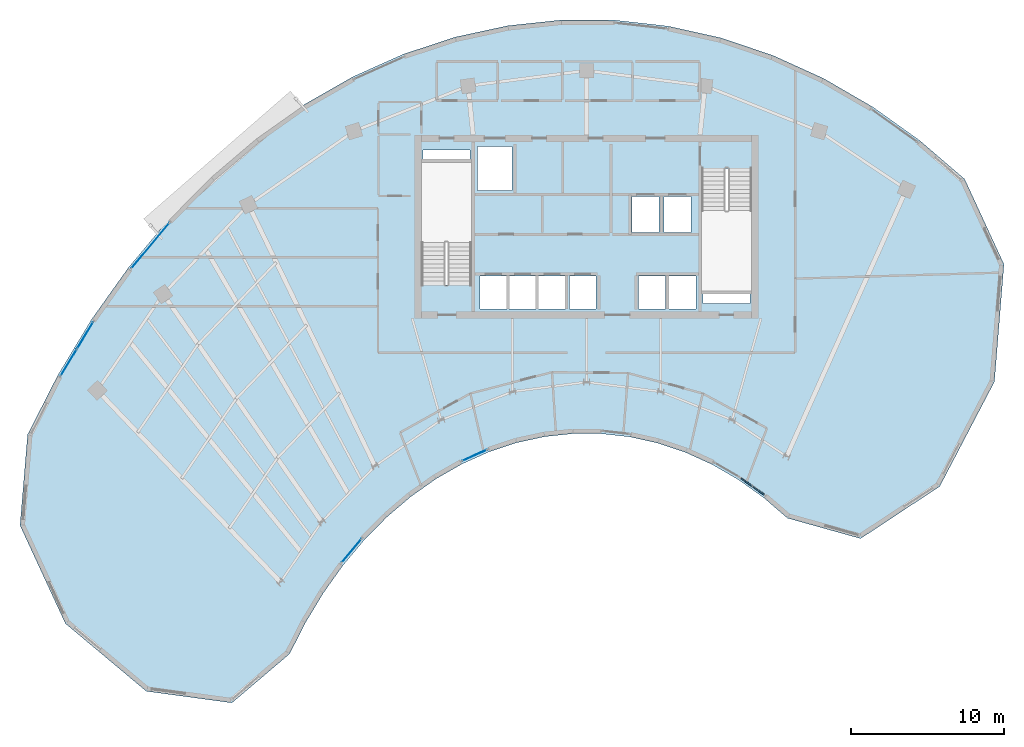
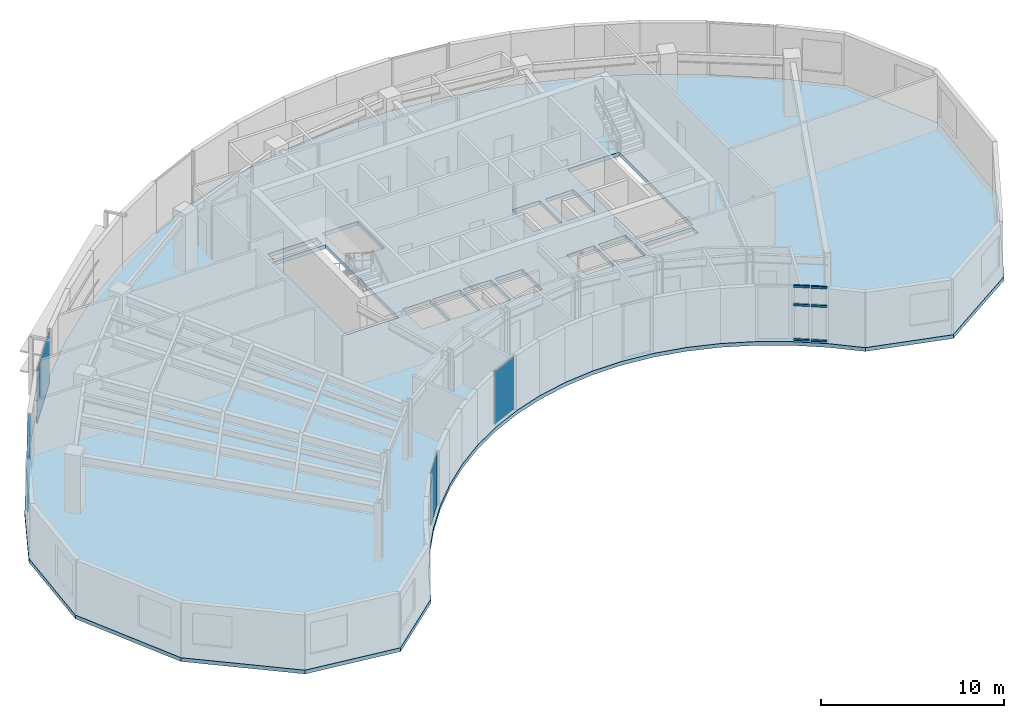
# One storey, part 5 of 12: 7 plates, 6 members, 1 slab, 5 elements without a shape of their own.
"""IFC4 building model written with IfcOpenShell, lengths in metres."""

from ifc_helpers import new_model, si_unit, direction, frame, origin, origin_2d, place, context, subcontext, project, spatial, polyline, rectangle, outline, extrude, source, transform, mapped, material, layer, layer_set, material_profile, profile_set, type_object, element, aggregate, save


model = new_model("IFC4")

# Units and contexts
model_context = context("Model", 3, precision=1e-05, world=origin(), true_north=direction((0.0, 1.0)))
body_context = subcontext(model_context, "Body", "Model", "MODEL_VIEW")
ifc_project = project(units=[si_unit("LENGTHUNIT", "METRE"), si_unit("AREAUNIT", "SQUARE_METRE"), si_unit("VOLUMEUNIT", "CUBIC_METRE"), si_unit("PLANEANGLEUNIT", "RADIAN"), si_unit("MASSUNIT", "GRAM", prefix="KILO")], contexts=[model_context])

# Site, building, storey
site_placement = place(None, origin())
site = spatial("IfcSite", under=ifc_project, at=site_placement, CompositionType="ELEMENT")
building_placement = place(site_placement, origin())
building = spatial("IfcBuilding", under=site, at=building_placement, Name="Breltana Convention Tower", CompositionType="ELEMENT")
storey_placement = place(building_placement, frame((0.0, 0.0, 235.199951171875)))
storey = spatial("IfcBuildingStorey", under=building, at=storey_placement, Name="L57", CompositionType="ELEMENT", Elevation=235.199951171875)

# Curtain wall, members
ifc_material_1 = material(Name="Aluminium Anodised Bronze Frame", Category="aluminium")
ifc_layer_1 = layer(ifc_material_1, 0.18994140625, Name="Aluminium Anodised Bronze Frame")
ifc_layer_set_1 = layer_set([ifc_layer_1], Name="Aluminium Anodised Bronze Frame")
curtain_wall_type_1 = type_object("IfcCurtainWallType", Name="CW-SYS-1", PredefinedType="NOTDEFINED", material=ifc_layer_set_1)
curtain_wall_1_placement = place(storey_placement, origin())
curtain_wall_1 = element("IfcCurtainWall", 1, at=curtain_wall_1_placement, inside=storey, type_object=curtain_wall_type_1, Name="L57 inner south-court glazing 1", PredefinedType="NOTDEFINED")
ifc_material_2 = material(Name="Aluminium Anodised Bronze", Category="aluminium")
ifc_material_profile = material_profile(ifc_material_2, rectangle(XDim=0.080078125, YDim=0.139892578125, at=origin_2d()), Name="CWT-80X140")
ifc_profile_set = profile_set([ifc_material_profile], Name="Aluminium Anodised Bronze")
member_type = type_object("IfcMemberType", Name="CWT-140", PredefinedType="USERDEFINED", material=ifc_profile_set)
shared_shape_1 = source(origin(), body_context, "Body", "SweptSolid", [
    extrude(rectangle(XDim=0.080078125, YDim=0.139892578125, at=origin_2d()), origin(), (0.0, 0.0, 1.0), 0.88720703125),
])
member_1_placement = place(storey_placement, frame((59.6103515625, 48.673583984375, 0.0400390625), z_axis=(-0.814198008079, 0.580587292007, 0.0), x_axis=(-0.580587292007, -0.814198008079, 0.0)))
member_1 = element("IfcMember", 2, at=member_1_placement, type_object=member_type, Name="CW-01 transom 1.1", ObjectType="TRANSOM", PredefinedType="USERDEFINED", context=body_context, shape_type="MappedRepresentation", body=[
    mapped(shared_shape_1, transform((0.0, 0.0, 0.0), scale=1.0)),
])
member_2_placement = place(storey_placement, frame((59.6103515625, 48.673583984375, 2.37255859375), z_axis=(-0.814198008079, 0.580587292007, 0.0), x_axis=(-0.580587292007, -0.814198008079, 0.0)))
member_2 = element("IfcMember", 3, at=member_2_placement, type_object=member_type, Name="CW-01 transom 1.2", ObjectType="TRANSOM", PredefinedType="USERDEFINED", context=body_context, shape_type="MappedRepresentation", body=[
    mapped(shared_shape_1, transform((0.0, 0.0, 0.0), scale=1.0)),
])
member_3_placement = place(storey_placement, frame((59.6103515625, 48.673583984375, 3.610107421875), z_axis=(-0.814198008079, 0.580587292007, 0.0), x_axis=(-0.580587292007, -0.814198008079, 0.0)))
member_3 = element("IfcMember", 4, at=member_3_placement, type_object=member_type, Name="CW-01 transom 1.3", ObjectType="TRANSOM", PredefinedType="USERDEFINED", context=body_context, shape_type="MappedRepresentation", body=[
    mapped(shared_shape_1, transform((0.0, 0.0, 0.0), scale=1.0)),
])
shared_shape_2 = source(origin(), body_context, "Body", "SweptSolid", [
    extrude(rectangle(XDim=0.080078125, YDim=0.139892578125, at=origin_2d()), origin(), (0.0, 0.0, 1.0), 0.887451171875),
])
member_4_placement = place(storey_placement, frame((58.82275390625, 49.235107421875, 0.0400390625), z_axis=(-0.814067936788, 0.58076965683, 0.0), x_axis=(-0.58076965683, -0.814067936788, 0.0)))
member_4 = element("IfcMember", 5, at=member_4_placement, type_object=member_type, Name="CW-01 transom 2.1", ObjectType="TRANSOM", PredefinedType="USERDEFINED", context=body_context, shape_type="MappedRepresentation", body=[
    mapped(shared_shape_2, transform((0.0, 0.0, 0.0), scale=1.0)),
])
member_5_placement = place(storey_placement, frame((58.82275390625, 49.235107421875, 2.37255859375), z_axis=(-0.814067936788, 0.58076965683, 0.0), x_axis=(-0.58076965683, -0.814067936788, 0.0)))
member_5 = element("IfcMember", 6, at=member_5_placement, type_object=member_type, Name="CW-01 transom 2.2", ObjectType="TRANSOM", PredefinedType="USERDEFINED", context=body_context, shape_type="MappedRepresentation", body=[
    mapped(shared_shape_2, transform((0.0, 0.0, 0.0), scale=1.0)),
])
member_6_placement = place(storey_placement, frame((58.82275390625, 49.235107421875, 3.610107421875), z_axis=(-0.814067936788, 0.58076965683, 0.0), x_axis=(-0.58076965683, -0.814067936788, 0.0)))
member_6 = element("IfcMember", 7, at=member_6_placement, type_object=member_type, Name="CW-01 transom 2.3", ObjectType="TRANSOM", PredefinedType="USERDEFINED", context=body_context, shape_type="MappedRepresentation", body=[
    mapped(shared_shape_2, transform((0.0, 0.0, 0.0), scale=1.0)),
])
aggregate(curtain_wall_1, [member_1, member_2, member_3, member_4, member_5, member_6])

# Slab
ifc_material_3 = material(Name="Concrete C40/50", Category="concrete")
ifc_layer_2 = layer(ifc_material_3, 0.25, Name="Concrete C40/50")
ifc_layer_set_2 = layer_set([ifc_layer_2], Name="Concrete C40/50")
slab_type = type_object("IfcSlabType", Name="SL-OFF-250", PredefinedType="FLOOR", material=ifc_layer_set_2)
slab_placement = place(storey_placement, frame((0.0, 0.0, -0.25)))
element("IfcSlab", 8, at=slab_placement, inside=storey, type_object=slab_type, Name="L57 Suspended Structural Floor Slab", PredefinedType="FLOOR", context=body_context, shape_type="SweptSolid", body=[
    extrude(outline(polyline([(72.72119140625, 69.309326171875), (69.777587890625, 71.839111328125), (66.690673828125, 74.040771484375), (63.480712890625, 75.89990234375), (60.1689453125, 77.404296875), (56.777099609375, 78.543701171875), (53.3271484375, 79.31103515625), (49.84228515625, 79.701171875), (46.345458984375, 79.71142578125), (42.859375, 79.341796875), (39.4072265625, 78.594482421875), (36.01171875, 77.474853515625), (32.69482421875, 75.989990234375), (29.47900390625, 74.149658203125), (26.385009765625, 71.966064453125), (23.43310546875, 69.453369140625), (20.64306640625, 66.62841796875), (18.033203125, 63.509765625), (15.62060546875, 60.11767578125), (13.4208984375, 56.474853515625), (11.44921875, 52.60498046875), (10.952392578125, 46.661865234375), (13.9169921875, 40.24951171875), (19.210693359375, 35.81689453125), (24.811279296875, 35.0576171875), (28.57958984375, 38.260986328125), (29.62744140625, 40.317138671875), (30.796142578125, 42.252685546875), (32.077880859375, 44.05517578125), (33.464599609375, 45.712158203125), (34.947021484375, 47.213134765625), (36.515380859375, 48.548095703125), (38.1591796875, 49.708251953125), (39.8681640625, 50.68603515625), (41.63037109375, 51.47509765625), (43.4345703125, 52.070068359375), (45.268798828125, 52.467041015625), (47.120849609375, 52.663330078125), (48.97900390625, 52.657958984375), (50.83056640625, 52.45068359375), (52.663330078125, 52.04296875), (54.465576171875, 51.4375), (56.225341796875, 50.63818359375), (57.930908203125, 49.650390625), (59.57080078125, 48.480712890625), (61.135009765625, 47.136474609375), (65.921142578125, 45.801025390625), (71.092041015625, 49.210205078125), (74.67236328125, 56.06201171875), (75.294677734375, 63.7392578125), (72.72119140625, 69.309326171875)]), holes=[polyline([(37.199951171875, 62.385009765625), (40.469970703125, 62.385009765625), (40.469970703125, 70.39990234375), (37.199951171875, 70.39990234375), (37.199951171875, 62.385009765625)]), polyline([(55.530029296875, 62.0), (58.800048828125, 62.0), (58.800048828125, 70.014892578125), (55.530029296875, 70.014892578125), (55.530029296875, 62.0)]), polyline([(41.0400390625, 60.800048828125), (42.800048828125, 60.800048828125), (42.800048828125, 62.97998046875), (41.0400390625, 62.97998046875), (41.0400390625, 60.800048828125)]), polyline([(42.93994140625, 60.800048828125), (44.699951171875, 60.800048828125), (44.699951171875, 62.97998046875), (42.93994140625, 62.97998046875), (42.93994140625, 60.800048828125)]), polyline([(44.8701171875, 60.800048828125), (46.6298828125, 60.800048828125), (46.6298828125, 62.97998046875), (44.8701171875, 62.97998046875), (44.8701171875, 60.800048828125)]), polyline([(46.8701171875, 60.800048828125), (48.6298828125, 60.800048828125), (48.6298828125, 62.97998046875), (46.8701171875, 62.97998046875), (46.8701171875, 60.800048828125)]), polyline([(51.39990234375, 60.800048828125), (53.159912109375, 60.800048828125), (53.159912109375, 62.97998046875), (51.39990234375, 62.97998046875), (51.39990234375, 60.800048828125)]), polyline([(53.39990234375, 60.800048828125), (55.159912109375, 60.800048828125), (55.159912109375, 62.97998046875), (53.39990234375, 62.97998046875), (53.39990234375, 60.800048828125)]), polyline([(50.969970703125, 65.800048828125), (52.72998046875, 65.800048828125), (52.72998046875, 68.179931640625), (50.969970703125, 68.179931640625), (50.969970703125, 65.800048828125)]), polyline([(53.070068359375, 65.800048828125), (54.830078125, 65.800048828125), (54.830078125, 68.179931640625), (53.070068359375, 68.179931640625), (53.070068359375, 65.800048828125)]), polyline([(40.8798828125, 68.550048828125), (43.1201171875, 68.550048828125), (43.1201171875, 71.449951171875), (40.8798828125, 71.449951171875), (40.8798828125, 68.550048828125)]), polyline([(37.300048828125, 70.60009765625), (40.3798828125, 70.60009765625), (40.3798828125, 71.219970703125), (37.300048828125, 71.219970703125), (37.300048828125, 70.60009765625)]), polyline([(55.6201171875, 61.179931640625), (58.699951171875, 61.179931640625), (58.699951171875, 61.800048828125), (55.6201171875, 61.800048828125), (55.6201171875, 61.179931640625)])]), origin(), (0.0, 0.0, 1.0), 0.25),
])

# Curtain wall, plate
curtain_wall_2_placement = place(storey_placement, origin())
curtain_wall_2 = element("IfcCurtainWall", 9, at=curtain_wall_2_placement, inside=storey, type_object=curtain_wall_type_1, Name="L57 inner south-court glazing 4", PredefinedType="NOTDEFINED")
ifc_material_4 = material(Name="Glass Low-E Double Glazing", Category="glass")
ifc_layer_3 = layer(ifc_material_4, 0.028076171875, Name="Glass Low-E Double Glazing")
ifc_layer_set_3 = layer_set([ifc_layer_3], Name="Glass Low-E Double Glazing")
plate_type = type_object("IfcPlateType", Name="CWP-IGU-28", PredefinedType="CURTAIN_PANEL", material=ifc_layer_set_3)
shared_shape_3 = source(origin(), body_context, "Body", "SweptSolid", [
    extrude(rectangle(XDim=1.770751953125, YDim=0.028076171875, at=origin_2d()), origin(), (0.0, 0.0, 1.0), 3.489990234375),
])
plate_1_placement = place(storey_placement, frame((40.67578125, 51.244873046875, 0.080078125), z_axis=(0.0, 0.0, 1.0), x_axis=(-0.912712541396, -0.408602272116, 0.0)))
plate_1 = element("IfcPlate", 10, at=plate_1_placement, type_object=plate_type, Name="CW-01 panel 1.1", PredefinedType="CURTAIN_PANEL", context=body_context, shape_type="MappedRepresentation", body=[
    mapped(shared_shape_3, transform((0.0, 0.0, 0.0), scale=1.0)),
])
aggregate(curtain_wall_2, [plate_1])

curtain_wall_3_placement = place(storey_placement, origin())
curtain_wall_3 = element("IfcCurtainWall", 11, at=curtain_wall_3_placement, inside=storey, type_object=curtain_wall_type_1, Name="L57 inner south-court glazing 5", PredefinedType="NOTDEFINED")
shared_shape_4 = source(origin(), body_context, "Body", "SweptSolid", [
    extrude(rectangle(XDim=2.000732421875, YDim=0.028076171875, at=origin_2d()), origin(), (0.0, 0.0, 1.0), 3.489990234375),
])
plate_2_placement = place(storey_placement, frame((32.63330078125, 44.9990234375, 0.080078125), z_axis=(0.0, 0.0, 1.0), x_axis=(-0.641785408725, -0.766884273635, 0.0)))
plate_2 = element("IfcPlate", 12, at=plate_2_placement, type_object=plate_type, Name="CW-01 panel 1.1", PredefinedType="CURTAIN_PANEL", context=body_context, shape_type="MappedRepresentation", body=[
    mapped(shared_shape_4, transform((0.0, 0.0, 0.0), scale=1.0)),
])
aggregate(curtain_wall_3, [plate_2])

# Curtain wall, plates
ifc_layer_4 = layer(ifc_material_1, 0.219970703125, Name="Aluminium Anodised Bronze Frame")
ifc_layer_set_4 = layer_set([ifc_layer_4], Name="Aluminium Anodised Bronze Frame")
curtain_wall_type_2 = type_object("IfcCurtainWallType", Name="CW-SYS-4", PredefinedType="NOTDEFINED", material=ifc_layer_set_4)
curtain_wall_4_placement = place(storey_placement, origin())
curtain_wall_4 = element("IfcCurtainWall", 13, at=curtain_wall_4_placement, inside=storey, type_object=curtain_wall_type_2, Name="L57 outer double-skin inner glazing 1", PredefinedType="NOTDEFINED")
shared_shape_5 = source(origin(), body_context, "Body", "SweptSolid", [
    extrude(rectangle(XDim=2.001220703125, YDim=0.028076171875, at=origin_2d()), origin(), (0.0, 0.0, 1.0), 2.267578125),
])
plate_3_placement = place(storey_placement, frame((14.136962890625, 57.312255859375, 0.070068359375), z_axis=(0.0, 0.0, 1.0), x_axis=(0.516875291963, 0.856060706117, 0.0)))
plate_3 = element("IfcPlate", 14, at=plate_3_placement, type_object=plate_type, Name="CW-04 panel 1.1", PredefinedType="CURTAIN_PANEL", context=body_context, shape_type="MappedRepresentation", body=[
    mapped(shared_shape_5, transform((0.0, 0.0, 0.0), scale=1.0)),
])
plate_4_placement = place(storey_placement, frame((15.212646484375, 59.093994140625, 0.070068359375), z_axis=(0.0, 0.0, 1.0), x_axis=(0.516875291963, 0.856060706117, 0.0)))
plate_4 = element("IfcPlate", 15, at=plate_4_placement, type_object=plate_type, Name="CW-04 panel 2.1", PredefinedType="CURTAIN_PANEL", context=body_context, shape_type="MappedRepresentation", body=[
    mapped(shared_shape_5, transform((0.0, 0.0, 0.0), scale=1.0)),
])
shared_shape_6 = source(origin(), body_context, "Body", "SweptSolid", [
    extrude(rectangle(XDim=2.001220703125, YDim=0.028076171875, at=origin_2d()), origin(), (0.0, 0.0, 1.0), 1.172607421875),
])
plate_5_placement = place(storey_placement, frame((14.136962890625, 57.312255859375, 2.40771484375), z_axis=(0.0, 0.0, 1.0), x_axis=(0.516875291963, 0.856060706117, 0.0)))
plate_5 = element("IfcPlate", 16, at=plate_5_placement, type_object=plate_type, Name="CW-04 panel 1.2", PredefinedType="CURTAIN_PANEL", context=body_context, shape_type="MappedRepresentation", body=[
    mapped(shared_shape_6, transform((0.0, 0.0, 0.0), scale=1.0)),
])
plate_6_placement = place(storey_placement, frame((15.212646484375, 59.093994140625, 2.40771484375), z_axis=(0.0, 0.0, 1.0), x_axis=(0.516875291963, 0.856060706117, 0.0)))
plate_6 = element("IfcPlate", 17, at=plate_6_placement, type_object=plate_type, Name="CW-04 panel 2.2", PredefinedType="CURTAIN_PANEL", context=body_context, shape_type="MappedRepresentation", body=[
    mapped(shared_shape_6, transform((0.0, 0.0, 0.0), scale=1.0)),
])
aggregate(curtain_wall_4, [plate_3, plate_5, plate_4, plate_6])

# Curtain wall, plate
curtain_wall_5_placement = place(storey_placement, origin())
curtain_wall_5 = element("IfcCurtainWall", 18, at=curtain_wall_5_placement, inside=storey, type_object=curtain_wall_type_2, Name="L57 outer double-skin inner glazing 2", PredefinedType="NOTDEFINED")
shared_shape_7 = source(origin(), body_context, "Body", "SweptSolid", [
    extrude(rectangle(XDim=3.892333984375, YDim=0.028076171875, at=origin_2d()), origin(), (0.0, 0.0, 1.0), 3.510009765625),
])
plate_7_placement = place(storey_placement, frame((19.47607421875, 64.953369140625, 0.06982421875), z_axis=(0.0, 0.0, 1.0), x_axis=(0.64176321485, 0.766902846562, 0.0)))
plate_7 = element("IfcPlate", 19, at=plate_7_placement, type_object=plate_type, Name="CW-04 panel 1.1", PredefinedType="CURTAIN_PANEL", context=body_context, shape_type="MappedRepresentation", body=[
    mapped(shared_shape_7, transform((0.0, 0.0, 0.0), scale=1.0)),
])
aggregate(curtain_wall_5, [plate_7])

save(model, "model.ifc")
